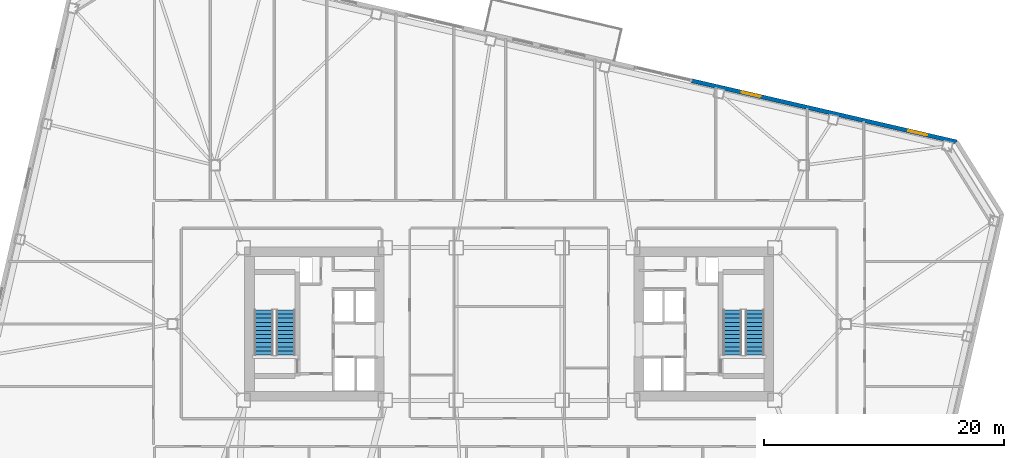
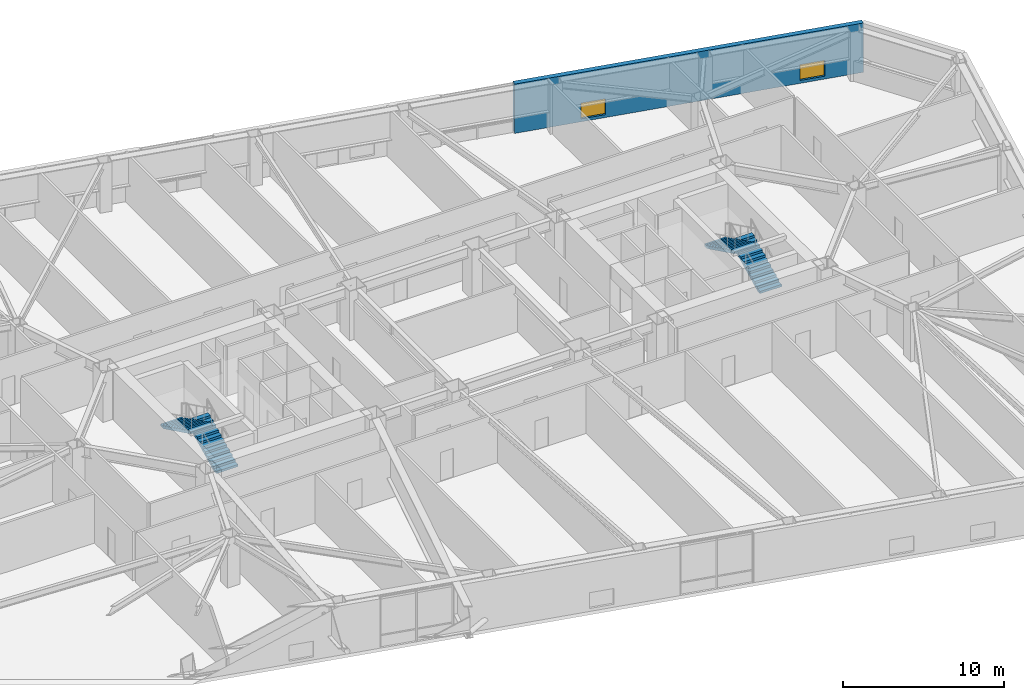
# One storey, part 14 of 20: 4 stair flights, 2 windows, 1 wall, 2 openings, 2 elements without a shape of their own.
"""IFC4 building model written with IfcOpenShell, lengths in metres."""

import ifcopenshell
import ifcopenshell.guid

model = None  # the IFC model being written
_history = None  # IfcOwnerHistory: only IFC2X3 demands one
_inside = {}  # id of a spatial element -> (the spatial element, [elements in it])
_under = {}  # id of a project, library or spatial element -> (it, [spatial elements below it])
_declared = {}  # id of a project -> (the project, [libraries it declares])
_typed = {}  # id of a type object -> (the type object, [elements of that type])
_made_of = {}  # id of a material, layer set ... -> (it, [elements and type objects made of it])


def new_model(schema):
    """Start an empty IFC model of exactly this schema.

    Asked for "IFC4X3", IfcOpenShell would pick the latest addendum, in which some entities
    have other attributes; the version numbers below select the first issue.
    IFC2X3 requires an IfcOwnerHistory on every rooted entity: one is made here for all.
    """
    global model, _history
    if schema == "IFC4X3":
        model = ifcopenshell.file(schema_version=(4, 3, 0, 0))
    else:
        model = ifcopenshell.file(schema=schema)
    _inside.clear()
    _under.clear()
    _declared.clear()
    _typed.clear()
    _made_of.clear()
    _history = None
    if model.schema == "IFC2X3":
        org = make("IfcOrganization", Name="unknown")
        user = make(
            "IfcPersonAndOrganization",
            ThePerson=make("IfcPerson", FamilyName="unknown"),
            TheOrganization=org,
        )
        app = make(
            "IfcApplication",
            ApplicationDeveloper=org,
            Version="unknown",
            ApplicationFullName="unknown",
            ApplicationIdentifier="unknown",
        )
        _history = make(
            "IfcOwnerHistory",
            OwningUser=user,
            OwningApplication=app,
            ChangeAction="ADDED",
            CreationDate=0,
        )
    return model


def make(cls, **values):
    """One entity of the class cls with the attributes given. An attribute that is None is left unset."""
    return model.create_entity(
        cls, **{name: value for name, value in values.items() if value is not None}
    )


def rooted(cls, **values):
    """An entity with a GlobalId (a new one), such as an element, a storey or a relation."""
    return make(cls, GlobalId=ifcopenshell.guid.new(), OwnerHistory=_history, **values)


def si_unit(unit_type, name, prefix=None):
    """IfcSIUnit, for example si_unit("LENGTHUNIT", "METRE", prefix="MILLI")."""
    return make("IfcSIUnit", UnitType=unit_type, Prefix=prefix, Name=name)


def assignment(units):
    """IfcUnitAssignment: the units of a project."""
    return None if units is None else make("IfcUnitAssignment", Units=units)


def point(xyz):
    """IfcCartesianPoint."""
    return None if xyz is None else make("IfcCartesianPoint", Coordinates=xyz)


def direction(xyz):
    """IfcDirection."""
    return None if xyz is None else make("IfcDirection", DirectionRatios=xyz)


def frame(location, z_axis=None, x_axis=None):
    """IfcAxis2Placement3D, a coordinate frame: its origin and axes. An axis left out is left unset."""
    return make(
        "IfcAxis2Placement3D",
        Location=point(location),
        Axis=direction(z_axis),
        RefDirection=direction(x_axis),
    )


def frame_2d(location, x_axis=None):
    """IfcAxis2Placement2D, a coordinate frame in the plane: its origin and x axis."""
    return make(
        "IfcAxis2Placement2D", Location=point(location), RefDirection=direction(x_axis)
    )


def origin():
    """The frame at (0, 0, 0) with its axes left unset."""
    return frame((0.0, 0.0, 0.0))


def place(relative_to, where):
    """IfcLocalPlacement: puts the frame where relative to a parent placement (None: the world)."""
    return make(
        "IfcLocalPlacement", PlacementRelTo=relative_to, RelativePlacement=where
    )


def context(
    kind, dimensions, precision=None, world=None, true_north=None, identifier=None
):
    """IfcGeometricRepresentationContext, for example the 3D "Model" context."""
    return make(
        "IfcGeometricRepresentationContext",
        ContextIdentifier=identifier,
        ContextType=kind,
        CoordinateSpaceDimension=dimensions,
        Precision=precision,
        WorldCoordinateSystem=world,
        TrueNorth=true_north,
    )


def subcontext(parent, identifier, kind, view, scale=None):
    """IfcGeometricRepresentationSubContext, for example "Body" below "Model"."""
    return make(
        "IfcGeometricRepresentationSubContext",
        ContextIdentifier=identifier,
        ContextType=kind,
        ParentContext=parent,
        TargetScale=scale,
        TargetView=view,
    )


def project(units=None, contexts=None):
    """IfcProject with its units and contexts."""
    return rooted(
        "IfcProject",
        Name="project",
        RepresentationContexts=contexts,
        UnitsInContext=assignment(units),
    )


def spatial(cls, under=None, at=None, **own):
    """A site, building, storey or space (cls), placed at a placement, below another one or the project."""
    s = rooted(cls, ObjectPlacement=at, **own)
    if under is not None:
        _under.setdefault(under.id(), (under, []))[1].append(s)
    return s


def polyline(points):
    """IfcPolyline through the points."""
    return make("IfcPolyline", Points=[point(p) for p in points])


def profile(cls, at=None, kind="AREA", **sizes):
    """A parametric profile (cls). Its sizes go by their IFC names, for example OverallWidth=200.0."""
    return make(cls, ProfileType=kind, Position=at, **sizes)


def rectangle(**sizes):
    """IfcRectangleProfileDef."""
    return profile("IfcRectangleProfileDef", **sizes)


def outline(outer, holes=None, kind="AREA"):
    """IfcArbitraryClosedProfileDef: a profile drawn as a closed curve; with holes, ...WithVoids."""
    if holes is None:
        return make("IfcArbitraryClosedProfileDef", ProfileType=kind, OuterCurve=outer)
    return make(
        "IfcArbitraryProfileDefWithVoids",
        ProfileType=kind,
        OuterCurve=outer,
        InnerCurves=holes,
    )


def extrude(swept, where, along, depth):
    """IfcExtrudedAreaSolid: the profile swept, set in the frame where, extruded along a direction by depth."""
    return make(
        "IfcExtrudedAreaSolid",
        SweptArea=swept,
        Position=where,
        ExtrudedDirection=direction(along),
        Depth=depth,
    )


def shape(context_of_items, identifier, shape_type, items):
    """IfcShapeRepresentation: the items that make up one representation, for example the "Body"."""
    return make(
        "IfcShapeRepresentation",
        ContextOfItems=context_of_items,
        RepresentationIdentifier=identifier,
        RepresentationType=shape_type,
        Items=items,
    )


def material(Name=None, Category=None):
    """IfcMaterial."""
    return make("IfcMaterial", Name=Name, Category=Category)


def layer(
    of_material, thickness, ventilated=None, Name=None, Category=None, Priority=None
):
    """IfcMaterialLayer: one layer of a wall or slab, of a material (None: an air gap)."""
    return make(
        "IfcMaterialLayer",
        Material=of_material,
        LayerThickness=thickness,
        IsVentilated=ventilated,
        Name=Name,
        Category=Category,
        Priority=Priority,
    )


def layer_set(layers, Name=None):
    """IfcMaterialLayerSet."""
    return make("IfcMaterialLayerSet", MaterialLayers=layers, LayerSetName=Name)


def made_of(thing, what):
    """Note that an element or type object is made of a material, layer set ...; save() writes the relation."""
    if what is not None:
        _made_of.setdefault(what.id(), (what, []))[1].append(thing)
    return thing


def type_object(cls, material=None, **own):
    """A type object (cls), such as IfcWallType, which elements share."""
    return made_of(rooted(cls, **own), material)


def element(
    cls,
    number,
    at=None,
    inside=None,
    cuts=None,
    type_object=None,
    material=None,
    context=None,
    identifier="Body",
    shape_type=None,
    held_by="IfcProductDefinitionShape",
    body=None,
    shapes=None,
    **own,
):
    """One element of the class cls, such as IfcWall. Its Tag is "e" and its number.

    at: its placement. inside: the storey or other place that contains it. cuts: it is an
    opening in that element (IfcRelVoidsElement). A single representation is given by context,
    identifier, shape_type and body (its items); several are given by shapes. held_by: the class
    of the entity that holds the representations. save() writes the other relations.
    """
    e = rooted(cls, Tag="e%d" % number, ObjectPlacement=at, **own)
    if body is not None:
        shapes = [shape(context, identifier, shape_type, body)]
    if shapes is not None:
        e.Representation = make(held_by, Representations=shapes)
    if inside is not None:
        _inside.setdefault(inside.id(), (inside, []))[1].append(e)
    if cuts is not None:
        rooted(
            "IfcRelVoidsElement", RelatingBuildingElement=cuts, RelatedOpeningElement=e
        )
    if type_object is not None:
        _typed.setdefault(type_object.id(), (type_object, []))[1].append(e)
    return made_of(e, material)


def fill(opening, filler):
    """IfcRelFillsElement: the door or window that sits in an opening."""
    return rooted(
        "IfcRelFillsElement",
        RelatingOpeningElement=opening,
        RelatedBuildingElement=filler,
    )


def aggregate(whole, parts):
    """IfcRelAggregates: a whole, such as a stair, and the parts it consists of."""
    return rooted("IfcRelAggregates", RelatingObject=whole, RelatedObjects=parts)


def save(model, path):
    """Write the relations noted so far, then the file.

    IfcRelAggregates (storeys below a building ...), IfcRelContainedInSpatialStructure (elements
    in a storey), IfcRelDefinesByType, IfcRelAssociatesMaterial and IfcRelDeclares: one each for
    every whole, place, type object, material and project.
    """
    for whole, parts in _under.values():
        aggregate(whole, parts)
    for where, things in _inside.values():
        rooted(
            "IfcRelContainedInSpatialStructure",
            RelatedElements=things,
            RelatingStructure=where,
        )
    for kind, things in _typed.values():
        rooted("IfcRelDefinesByType", RelatedObjects=things, RelatingType=kind)
    for what, things in _made_of.values():
        rooted("IfcRelAssociatesMaterial", RelatedObjects=things, RelatingMaterial=what)
    for by, libraries in _declared.values():
        rooted("IfcRelDeclares", RelatingContext=by, RelatedDefinitions=libraries)
    model.write(path)


model = new_model("IFC4")

# Units and contexts
model_context = context("Model", 3, precision=1e-05, world=origin(), true_north=direction((0.0, 1.0)))
body_context = subcontext(model_context, "Body", "Model", "MODEL_VIEW")
ifc_project = project(units=[si_unit("LENGTHUNIT", "METRE"), si_unit("AREAUNIT", "SQUARE_METRE"), si_unit("VOLUMEUNIT", "CUBIC_METRE"), si_unit("PLANEANGLEUNIT", "RADIAN"), si_unit("MASSUNIT", "GRAM", prefix="KILO")], contexts=[model_context])

# Site, building, storey
site_placement = place(None, origin())
site = spatial("IfcSite", under=ifc_project, at=site_placement, CompositionType="ELEMENT")
building_placement = place(site_placement, origin())
building = spatial("IfcBuilding", under=site, at=building_placement, Name="Tavrogorsk Clinical Tower", CompositionType="ELEMENT")
storey_placement = place(building_placement, frame((0.0, 0.0, 39.39990234375)))
storey = spatial("IfcBuildingStorey", under=building, at=storey_placement, Name="L07", CompositionType="ELEMENT", Elevation=39.39990234375)

# Wall, openings, windows
ifc_material_1 = material(Name="Precast concrete B45 with limestone cladding", Category="masonry")
ifc_layer = layer(ifc_material_1, 0.340087890625)
ifc_layer_set = layer_set([ifc_layer], Name="Precast concrete B45 with limestone cladding")
wall_type = type_object("IfcWallType", Name="PrecastLimestoneWall_340", PredefinedType="STANDARD", material=ifc_layer_set)
wall_placement = place(storey_placement, frame((37.228515625, 15.14990234375, 0.0), z_axis=(0.0, 0.0, 1.0), x_axis=(-0.97436993772, 0.224951604723, 0.0)))
wall = element("IfcWall", 1, at=wall_placement, inside=storey, type_object=wall_type, Name="L07 N Limestone Facade Wall 1", PredefinedType="STANDARD", context=body_context, shape_type="SweptSolid", body=[
    extrude(rectangle(XDim=22.6513671875, YDim=0.340087890625, at=frame_2d((11.32568359375, 0.0))), origin(), (0.0, 0.0, 1.0), 3.739990234375),
])
opening_1_placement = place(wall_placement, frame((16.7451171875, 0.0, 0.219970703125)))
opening_1 = element("IfcOpeningElement", 2, at=opening_1_placement, cuts=wall, Name="Opening WN-09", PredefinedType="OPENING", context=body_context, shape_type="SweptSolid", body=[
    extrude(rectangle(XDim=1.60009765625, YDim=1.199951171875, at=frame_2d((0.800048828125, 0.60009765625))), frame((0.0, 0.179931640625, 0.0), z_axis=(0.0, -1.0, 0.0), x_axis=(1.0, 0.0, 0.0)), (0.0, 0.0, 1.0), 0.360107421875),
])
opening_2_placement = place(wall_placement, frame((2.51220703125, 0.0, 0.219970703125)))
opening_2 = element("IfcOpeningElement", 3, at=opening_2_placement, cuts=wall, Name="Opening WN-09", PredefinedType="OPENING", context=body_context, shape_type="SweptSolid", body=[
    extrude(rectangle(XDim=1.60009765625, YDim=1.199951171875, at=frame_2d((0.800048828125, 0.60009765625))), frame((0.0, 0.179931640625, 0.0), z_axis=(0.0, -1.0, 0.0), x_axis=(1.0, 0.0, 0.0)), (0.0, 0.0, 1.0), 0.360107421875),
])
ifc_material_2 = material(Name="Thermally broken aluminium frame and triple IGU", Category="aluminium")
window_type = type_object("IfcWindowType", Name="LowHeadTransWin_1600x1200", PartitioningType="DOUBLE_PANEL_VERTICAL", PredefinedType="WINDOW", material=ifc_material_2)
window_1_placement = place(opening_1_placement, origin())
window_1 = element("IfcWindow", 4, at=window_1_placement, inside=storey, type_object=window_type, Name="L07 N Chicago Window 07", OverallHeight=1.199951171875, OverallWidth=1.60009765625, PartitioningType="SINGLE_PANEL", PredefinedType="WINDOW", context=body_context, shape_type="SweptSolid", body=[
    extrude(rectangle(XDim=1.60009765625, YDim=1.199951171875, at=frame_2d((0.800048828125, 0.60009765625))), frame((0.0, 0.030029296875, 0.0), z_axis=(0.0, -1.0, 0.0), x_axis=(1.0, 0.0, 0.0)), (0.0, 0.0, 1.0), 0.06005859375),
])
fill(opening_1, window_1)
window_2_placement = place(opening_2_placement, origin())
window_2 = element("IfcWindow", 5, at=window_2_placement, inside=storey, type_object=window_type, Name="L07 N Chicago Window 10", OverallHeight=1.199951171875, OverallWidth=1.60009765625, PartitioningType="SINGLE_PANEL", PredefinedType="WINDOW", context=body_context, shape_type="SweptSolid", body=[
    extrude(rectangle(XDim=1.60009765625, YDim=1.199951171875, at=frame_2d((0.800048828125, 0.60009765625))), frame((0.0, 0.030029296875, 0.0), z_axis=(0.0, -1.0, 0.0), x_axis=(1.0, 0.0, 0.0)), (0.0, 0.0, 1.0), 0.06005859375),
])
fill(opening_2, window_2)

# Stair, stair flights
ifc_material_3 = material(Name="Concrete B60", Category="concrete")
stair_type = type_object("IfcStairType", Name="CoreStairAssembly", PredefinedType="HALF_TURN_STAIR", material=ifc_material_3)
stair_1_placement = place(storey_placement, origin())
stair_1 = element("IfcStair", 6, at=stair_1_placement, inside=storey, type_object=stair_type, Name="L07 ST-W", PredefinedType="HALF_TURN_STAIR")
ifc_material_4 = material(Name="Concrete B60", Category="concrete")
stair_flight_type = type_object("IfcStairFlightType", Name="CoreStairFlight", PredefinedType="STRAIGHT", material=ifc_material_4)
stair_flight_1_placement = place(storey_placement, frame((-18.574951171875, -2.574951171875, 0.0), z_axis=(0.0, 0.0, 1.0), x_axis=(0.0, 1.0, 0.0)))
stair_flight_1 = element("IfcStairFlight", 7, at=stair_flight_1_placement, type_object=stair_flight_type, Name="ST-W flight 1", NumberOfRisers=12, NumberOfTreads=11, PredefinedType="STRAIGHT", RiserHeight=0.166666667, TreadLength=0.34, context=body_context, shape_type="SweptSolid", body=[
    extrude(outline(polyline([(0.0, 0.0), (0.0, 0.166748046875), (0.340087890625, 0.166748046875), (0.340087890625, 0.333251953125), (0.679931640625, 0.333251953125), (0.679931640625, 0.5), (1.02001953125, 0.5), (1.02001953125, 0.666748046875), (1.360107421875, 0.666748046875), (1.360107421875, 0.833251953125), (1.699951171875, 0.833251953125), (1.699951171875, 1.0), (2.0400390625, 1.0), (2.0400390625, 1.166748046875), (2.3798828125, 1.166748046875), (2.3798828125, 1.333251953125), (2.719970703125, 1.333251953125), (2.719970703125, 1.5), (3.06005859375, 1.5), (3.06005859375, 1.666748046875), (3.39990234375, 1.666748046875), (3.39990234375, 1.833251953125), (3.739990234375, 1.833251953125), (3.739990234375, 2.0), (3.739990234375, 1.66650390625), (0.340576171875, 0.0), (0.0, 0.0)])), frame((0.0, 0.77490234375, 0.0), z_axis=(0.0, -1.0, 0.0), x_axis=(1.0, 0.0, 0.0)), (0.0, 0.0, 1.0), 1.550048828125),
])
stair_flight_2_placement = place(storey_placement, frame((-20.425048828125, 1.1650390625, 2.0), z_axis=(0.0, 0.0, 1.0), x_axis=(0.0, -1.0, 0.0)))
stair_flight_2 = element("IfcStairFlight", 8, at=stair_flight_2_placement, type_object=stair_flight_type, Name="ST-W flight 2", NumberOfRisers=12, NumberOfTreads=11, PredefinedType="STRAIGHT", RiserHeight=0.166666667, TreadLength=0.34, context=body_context, shape_type="SweptSolid", body=[
    extrude(outline(polyline([(0.0, 0.0), (0.0, 0.166748046875), (0.340087890625, 0.166748046875), (0.340087890625, 0.333251953125), (0.679931640625, 0.333251953125), (0.679931640625, 0.5), (1.02001953125, 0.5), (1.02001953125, 0.666748046875), (1.360107421875, 0.666748046875), (1.360107421875, 0.833251953125), (1.699951171875, 0.833251953125), (1.699951171875, 1.0), (2.0400390625, 1.0), (2.0400390625, 1.166748046875), (2.3798828125, 1.166748046875), (2.3798828125, 1.333251953125), (2.719970703125, 1.333251953125), (2.719970703125, 1.5), (3.06005859375, 1.5), (3.06005859375, 1.666748046875), (3.39990234375, 1.666748046875), (3.39990234375, 1.833251953125), (3.739990234375, 1.833251953125), (3.739990234375, 2.0), (3.739990234375, 1.66650390625), (0.340576171875, 0.0), (0.0, 0.0)])), frame((0.0, 0.77490234375, 0.0), z_axis=(0.0, -1.0, 0.0), x_axis=(1.0, 0.0, 0.0)), (0.0, 0.0, 1.0), 1.550048828125),
])
aggregate(stair_1, [stair_flight_1, stair_flight_2])

stair_2_placement = place(storey_placement, origin())
stair_2 = element("IfcStair", 9, at=stair_2_placement, inside=storey, type_object=stair_type, Name="L07 ST-E", PredefinedType="HALF_TURN_STAIR")
stair_flight_3_placement = place(storey_placement, frame((20.425048828125, -2.574951171875, 0.0), z_axis=(0.0, 0.0, 1.0), x_axis=(0.0, 1.0, 0.0)))
stair_flight_3 = element("IfcStairFlight", 10, at=stair_flight_3_placement, type_object=stair_flight_type, Name="ST-E flight 1", NumberOfRisers=12, NumberOfTreads=11, PredefinedType="STRAIGHT", RiserHeight=0.166666667, TreadLength=0.34, context=body_context, shape_type="SweptSolid", body=[
    extrude(outline(polyline([(0.0, 0.0), (0.0, 0.166748046875), (0.340087890625, 0.166748046875), (0.340087890625, 0.333251953125), (0.679931640625, 0.333251953125), (0.679931640625, 0.5), (1.02001953125, 0.5), (1.02001953125, 0.666748046875), (1.360107421875, 0.666748046875), (1.360107421875, 0.833251953125), (1.699951171875, 0.833251953125), (1.699951171875, 1.0), (2.0400390625, 1.0), (2.0400390625, 1.166748046875), (2.3798828125, 1.166748046875), (2.3798828125, 1.333251953125), (2.719970703125, 1.333251953125), (2.719970703125, 1.5), (3.06005859375, 1.5), (3.06005859375, 1.666748046875), (3.39990234375, 1.666748046875), (3.39990234375, 1.833251953125), (3.739990234375, 1.833251953125), (3.739990234375, 2.0), (3.739990234375, 1.66650390625), (0.340576171875, 0.0), (0.0, 0.0)])), frame((0.0, 0.77490234375, 0.0), z_axis=(0.0, -1.0, 0.0), x_axis=(1.0, 0.0, 0.0)), (0.0, 0.0, 1.0), 1.550048828125),
])
stair_flight_4_placement = place(storey_placement, frame((18.574951171875, 1.1650390625, 2.0), z_axis=(0.0, 0.0, 1.0), x_axis=(0.0, -1.0, 0.0)))
stair_flight_4 = element("IfcStairFlight", 11, at=stair_flight_4_placement, type_object=stair_flight_type, Name="ST-E flight 2", NumberOfRisers=12, NumberOfTreads=11, PredefinedType="STRAIGHT", RiserHeight=0.166666667, TreadLength=0.34, context=body_context, shape_type="SweptSolid", body=[
    extrude(outline(polyline([(0.0, 0.0), (0.0, 0.166748046875), (0.340087890625, 0.166748046875), (0.340087890625, 0.333251953125), (0.679931640625, 0.333251953125), (0.679931640625, 0.5), (1.02001953125, 0.5), (1.02001953125, 0.666748046875), (1.360107421875, 0.666748046875), (1.360107421875, 0.833251953125), (1.699951171875, 0.833251953125), (1.699951171875, 1.0), (2.0400390625, 1.0), (2.0400390625, 1.166748046875), (2.3798828125, 1.166748046875), (2.3798828125, 1.333251953125), (2.719970703125, 1.333251953125), (2.719970703125, 1.5), (3.06005859375, 1.5), (3.06005859375, 1.666748046875), (3.39990234375, 1.666748046875), (3.39990234375, 1.833251953125), (3.739990234375, 1.833251953125), (3.739990234375, 2.0), (3.739990234375, 1.66650390625), (0.340576171875, 0.0), (0.0, 0.0)])), frame((0.0, 0.77490234375, 0.0), z_axis=(0.0, -1.0, 0.0), x_axis=(1.0, 0.0, 0.0)), (0.0, 0.0, 1.0), 1.550048828125),
])
aggregate(stair_2, [stair_flight_3, stair_flight_4])

save(model, "model.ifc")
